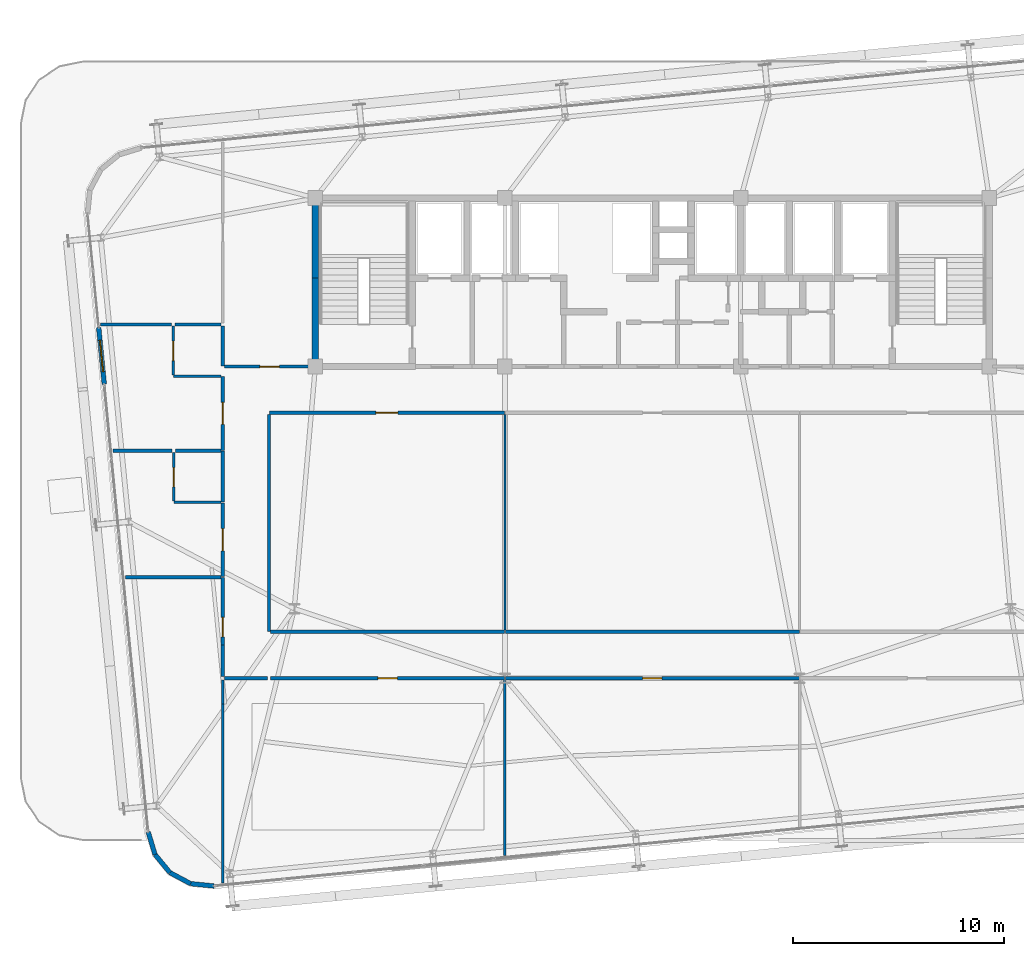
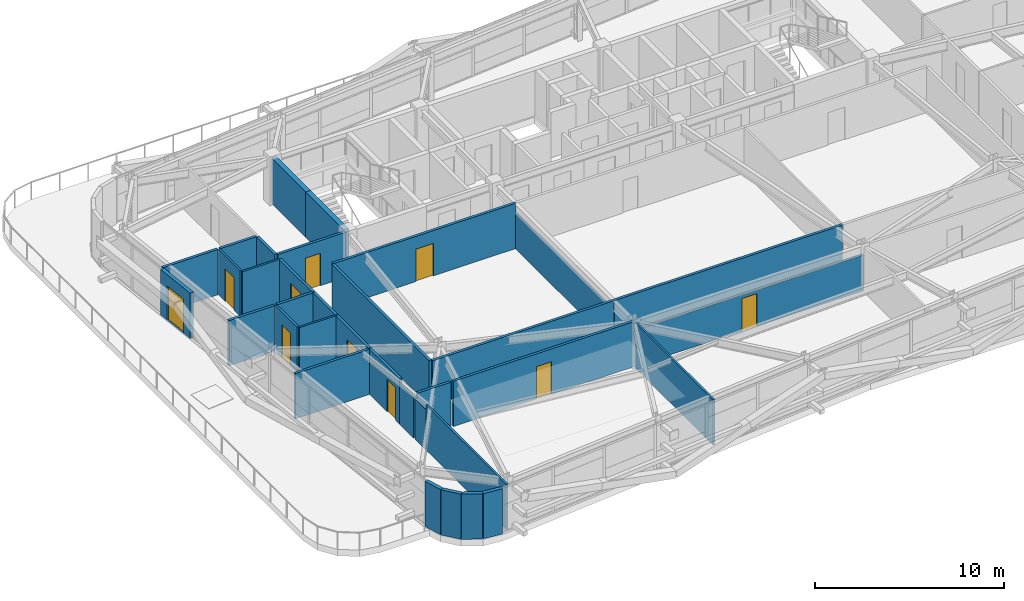
# One storey, part 44 of 51: 34 walls, 10 doors, 10 openings.
"""IFC4 building model written with IfcOpenShell, lengths in metres."""

from ifc_helpers import new_model, si_unit, direction, frame, frame_2d, origin, place, context, subcontext, project, spatial, rectangle, extrude, source, transform, mapped, material, layer, layer_set, type_object, element, fill, save


model = new_model("IFC4")

# Units and contexts
model_context = context("Model", 3, precision=1e-05, world=origin(), true_north=direction((0.0, 1.0)))
body_context = subcontext(model_context, "Body", "Model", "MODEL_VIEW")
ifc_project = project(units=[si_unit("LENGTHUNIT", "METRE"), si_unit("AREAUNIT", "SQUARE_METRE"), si_unit("VOLUMEUNIT", "CUBIC_METRE"), si_unit("PLANEANGLEUNIT", "RADIAN"), si_unit("MASSUNIT", "GRAM", prefix="KILO")], contexts=[model_context])

# Site, building, storey
site_placement = place(None, origin())
site = spatial("IfcSite", under=ifc_project, at=site_placement, CompositionType="ELEMENT")
building_placement = place(site_placement, origin())
building = spatial("IfcBuilding", under=site, at=building_placement, Name="Taldren Reach Tower", CompositionType="ELEMENT")
storey_placement = place(building_placement, frame((0.0, 0.0, 65.10009765625)))
storey = spatial("IfcBuildingStorey", under=building, at=storey_placement, Name="L19", CompositionType="ELEMENT", Elevation=65.10009765625)

# Walls
ifc_material_1 = material(Name="Pale Champagne Anodised Aluminium Cladding", Category="aluminium")
ifc_layer_1 = layer(ifc_material_1, 0.04, Name="Pale Champagne Anodised Aluminium Cladding", Category="aluminium")
ifc_material_2 = material(Name="Mineral Wool Acoustic Insulation", Category="insulation")
ifc_layer_2 = layer(ifc_material_2, 0.06, Name="Mineral Wool Acoustic Insulation", Category="insulation")
ifc_material_3 = material(Name="Steel Gr 350 (C350L0)", Category="steel")
ifc_layer_3 = layer(ifc_material_3, 0.12, Name="Steel Gr 350 (C350L0)", Category="steel")
ifc_layer_set_1 = layer_set([ifc_layer_1, ifc_layer_2, ifc_layer_3], Name="Pale Champagne Aluminium Cladding and Steel Gr 350 Stud Framing")
wall_type_1 = type_object("IfcWallType", Name="EW-CRN-220", PredefinedType="SOLIDWALL", material=ifc_layer_set_1)
shared_shape_1 = source(origin(), body_context, "Body", "SweptSolid", [
    extrude(rectangle(XDim=1.115966796875, YDim=0.219970703125, at=frame_2d((0.55810546875, 0.0))), origin(), (0.0, 0.0, 1.0), 2.929931640625),
])
for number, where, z_axis, x_axis, name in (
    (1, (11.062255859375, 1.90185546875, 0.0), (0.0, 0.0, 1.0), (0.289855603468, -0.957070388811, 0.0), "Rounded-corner pale-metal facade wall L19-SW1"),
    (2, (11.3857421875, 0.833740234375, 0.0), (0.0, 0.0, 1.0), (0.633988016432, -0.773342870285, 0.0), "Rounded-corner pale-metal facade wall L19-SW2"),
    (3, (13.0771484375, -0.5556640625, 0.0), (0.0, 0.0, 1.0), (0.995142755671, -0.09844234778, 0.0), "Rounded-corner pale-metal facade wall L19-SW4"),
):
    element("IfcWall", number, at=place(storey_placement, frame(where, z_axis=z_axis, x_axis=x_axis)), inside=storey, type_object=wall_type_1, Name=name, PredefinedType="SOLIDWALL", context=body_context, shape_type="MappedRepresentation", body=[
        mapped(shared_shape_1, transform((0.0, 0.0, 0.0), scale=1.0)),
    ])

# Wall, opening, door
shared_shape_2 = source(origin(), body_context, "Body", "SweptSolid", [
    extrude(rectangle(XDim=2.699951171875, YDim=0.219970703125, at=frame_2d((1.35009765625, 0.0))), origin(), (0.0, 0.0, 1.0), 2.929931640625),
])
wall_1_placement = place(storey_placement, frame((8.7138671875, 25.851806640625, 0.0), z_axis=(0.0, 0.0, 1.0), x_axis=(0.097659231838, -0.995219912601, 0.0)))
wall_1 = element("IfcWall", 4, at=wall_1_placement, inside=storey, type_object=wall_type_1, Name="Terrace threshold facade wall L19-W1", PredefinedType="SOLIDWALL", context=body_context, shape_type="MappedRepresentation", body=[
    mapped(shared_shape_2, transform((0.0, 0.0, 0.0), scale=1.0)),
])
shared_shape_3 = source(origin(), body_context, "Body", "SweptSolid", [
    extrude(rectangle(XDim=1.5, YDim=2.199951171875, at=frame_2d((0.75, 1.10009765625))), frame((0.0, 0.1201171875, 0.0), z_axis=(0.0, -1.0, 0.0), x_axis=(1.0, 0.0, 0.0)), (0.0, 0.0, 1.0), 0.239990234375),
])
opening_1_placement = place(wall_1_placement, frame((0.60009765625, 0.0, 0.0)))
opening_1 = element("IfcOpeningElement", 5, at=opening_1_placement, cuts=wall_1, Name="Opening ED-150", PredefinedType="OPENING", context=body_context, shape_type="MappedRepresentation", body=[
    mapped(shared_shape_3, transform((0.0, 0.0, 0.0), scale=1.0)),
])
ifc_material_4 = material(Name="Weatherproof Glazed Terrace Door")
door_type_1 = type_object("IfcDoorType", Name="ED-TERR-1500", OperationType="DOUBLE_DOOR_SINGLE_SWING", PredefinedType="DOOR", material=ifc_material_4)
shared_shape_4 = source(origin(), body_context, "Body", "SweptSolid", [
    extrude(rectangle(XDim=1.5, YDim=2.199951171875, at=frame_2d((0.75, 1.10009765625))), frame((0.0, 0.02490234375, 0.0), z_axis=(0.0, -1.0, 0.0), x_axis=(1.0, 0.0, 0.0)), (0.0, 0.0, 1.0), 0.050048828125),
])
door_1_placement = place(opening_1_placement, frame((1.5, 0.0, 0.0), z_axis=(0.0, 0.0, 1.0), x_axis=(-1.0, 0.0, 0.0)))
door_1 = element("IfcDoor", 6, at=door_1_placement, inside=storey, type_object=door_type_1, Name="Setback terrace access door ED-TERR-L19-W1", OperationType="DOUBLE_DOOR_SINGLE_SWING", OverallHeight=2.199951171875, OverallWidth=1.5, PredefinedType="DOOR", context=body_context, shape_type="MappedRepresentation", body=[
    mapped(shared_shape_4, transform((0.0, 0.0, 0.0), scale=1.0)),
])
fill(opening_1, door_1)

# Wall
shared_shape_5 = source(origin(), body_context, "Body", "SweptSolid", [
    extrude(rectangle(XDim=1.11572265625, YDim=0.219970703125, at=frame_2d((0.557861328125, 0.0))), origin(), (0.0, 0.0, 1.0), 2.929931640625),
])
wall_2_placement = place(storey_placement, frame((12.09326171875, -0.029296875, 0.0), z_axis=(0.0, 0.0, 1.0), x_axis=(0.881746547635, -0.471723463201, 0.0)))
element("IfcWall", 7, at=wall_2_placement, inside=storey, type_object=wall_type_1, Name="Rounded-corner pale-metal facade wall L19-SW3", PredefinedType="SOLIDWALL", context=body_context, shape_type="MappedRepresentation", body=[
    mapped(shared_shape_5, transform((0.0, 0.0, 0.0), scale=1.0)),
])

# Wall, opening, door
ifc_material_5 = material(Name="Fire-Rated Acoustic Plasterboard Stud Wall", Category="gypsum")
ifc_layer_4 = layer(ifc_material_5, 0.159912109375)
ifc_layer_set_2 = layer_set([ifc_layer_4], Name="Fire-Rated Acoustic Plasterboard Stud Wall")
wall_type_2 = type_object("IfcWallType", Name="IW-FIRE-160", PredefinedType="PARTITIONING", material=ifc_layer_set_2)
shared_shape_6 = source(origin(), body_context, "Body", "SweptSolid", [
    extrude(rectangle(XDim=11.159423828125, YDim=0.159912109375, at=frame_2d((5.57958984375, 0.0))), origin(), (0.0, 0.0, 1.0), 2.929931640625),
])
wall_3_placement = place(storey_placement, frame((27.979736328125, 21.800048828125, 0.0), z_axis=(0.0, 0.0, 1.0), x_axis=(-1.0, 0.0, 0.0)))
wall_3 = element("IfcWall", 8, at=wall_3_placement, inside=storey, type_object=wall_type_2, Name="Interior Partition Wall W-INT-L19-060", PredefinedType="PARTITIONING", context=body_context, shape_type="MappedRepresentation", body=[
    mapped(shared_shape_6, transform((0.0, 0.0, 0.0), scale=1.0)),
])
shared_shape_7 = source(origin(), body_context, "Body", "SweptSolid", [
    extrude(rectangle(XDim=1.050048828125, YDim=2.10009765625, at=frame_2d((0.52490234375, 1.050048828125))), frame((0.0, 0.08984375, 0.0), z_axis=(0.0, -1.0, 0.0), x_axis=(1.0, 0.0, 0.0)), (0.0, 0.0, 1.0), 0.179931640625),
])
opening_2_placement = place(wall_3_placement, frame((5.0546875, 0.0, 0.0)))
opening_2 = element("IfcOpeningElement", 9, at=opening_2_placement, cuts=wall_3, Name="Opening DF-105", PredefinedType="OPENING", context=body_context, shape_type="MappedRepresentation", body=[
    mapped(shared_shape_7, transform((0.0, 0.0, 0.0), scale=1.0)),
])
ifc_material_6 = material(Name="Fire-Rated Care and Stair Exit Door")
door_type_2 = type_object("IfcDoorType", Name="ID-FIRE-105", OperationType="NOTDEFINED", PredefinedType="DOOR", material=ifc_material_6)
shared_shape_8 = source(origin(), body_context, "Body", "SweptSolid", [
    extrude(rectangle(XDim=1.050048828125, YDim=2.10009765625, at=frame_2d((0.52490234375, 1.050048828125))), frame((0.0, 0.02490234375, 0.0), z_axis=(0.0, -1.0, 0.0), x_axis=(1.0, 0.0, 0.0)), (0.0, 0.0, 1.0), 0.050048828125),
])
door_2_placement = place(opening_2_placement, origin())
door_2 = element("IfcDoor", 10, at=door_2_placement, inside=storey, type_object=door_type_2, Name="Interior Door DR-L19-014", OperationType="SINGLE_SWING_LEFT", OverallHeight=2.10009765625, OverallWidth=1.050048828125, PredefinedType="DOOR", context=body_context, shape_type="MappedRepresentation", body=[
    mapped(shared_shape_8, transform((0.0, 0.0, 0.0), scale=1.0)),
])
fill(opening_2, door_2)

# Walls
shared_shape_9 = source(origin(), body_context, "Body", "SweptSolid", [
    extrude(rectangle(XDim=10.2998046875, YDim=0.159912109375, at=frame_2d((5.14990234375, 0.0))), origin(), (0.0, 0.0, 1.0), 2.929931640625),
])
wall_4_placement = place(storey_placement, frame((16.800048828125, 21.719970703125, 0.0), z_axis=(0.0, 0.0, 1.0), x_axis=(0.0, -1.0, 0.0)))
element("IfcWall", 11, at=wall_4_placement, inside=storey, type_object=wall_type_2, Name="Interior Partition Wall W-INT-L19-061", PredefinedType="PARTITIONING", context=body_context, shape_type="MappedRepresentation", body=[
    mapped(shared_shape_9, transform((0.0, 0.0, 0.0), scale=1.0)),
])
shared_shape_10 = source(origin(), body_context, "Body", "SweptSolid", [
    extrude(rectangle(XDim=13.95947265625, YDim=0.159912109375, at=frame_2d((6.979736328125, 0.0))), origin(), (0.0, 0.0, 1.0), 2.929931640625),
])
wall_5_placement = place(storey_placement, frame((28.020263671875, 11.39990234375, 0.0), z_axis=(0.0, 0.0, 1.0), x_axis=(1.0, 0.0, 0.0)))
element("IfcWall", 12, at=wall_5_placement, inside=storey, type_object=wall_type_2, Name="Interior Partition Wall W-INT-L19-077", PredefinedType="PARTITIONING", context=body_context, shape_type="MappedRepresentation", body=[
    mapped(shared_shape_10, transform((0.0, 0.0, 0.0), scale=1.0)),
])
shared_shape_11 = source(origin(), body_context, "Body", "SweptSolid", [
    extrude(rectangle(XDim=2.0400390625, YDim=0.159912109375, at=frame_2d((1.02001953125, 0.0))), origin(), (0.0, 0.0, 1.0), 2.929931640625),
])
wall_6_placement = place(storey_placement, frame((16.719970703125, 9.199951171875, 0.0), z_axis=(0.0, 0.0, 1.0), x_axis=(-1.0, 0.0, 0.0)))
element("IfcWall", 13, at=wall_6_placement, inside=storey, type_object=wall_type_2, Name="Interior Partition Wall W-INT-L19-065", PredefinedType="PARTITIONING", context=body_context, shape_type="MappedRepresentation", body=[
    mapped(shared_shape_11, transform((0.0, 0.0, 0.0), scale=1.0)),
])
shared_shape_12 = source(origin(), body_context, "Body", "SweptSolid", [
    extrude(rectangle(XDim=11.099853515625, YDim=0.159912109375, at=frame_2d((5.5498046875, 0.0))), origin(), (0.0, 0.0, 1.0), 2.929931640625),
])
wall_7_placement = place(storey_placement, frame((16.8798828125, 11.39990234375, 0.0), z_axis=(0.0, 0.0, 1.0), x_axis=(1.0, 0.0, 0.0)))
element("IfcWall", 14, at=wall_7_placement, inside=storey, type_object=wall_type_2, Name="Interior Partition Wall W-INT-L19-076", PredefinedType="PARTITIONING", context=body_context, shape_type="MappedRepresentation", body=[
    mapped(shared_shape_12, transform((0.0, 0.0, 0.0), scale=1.0)),
])

# Wall, opening, door
wall_8_placement = place(storey_placement, frame((27.979736328125, 9.199951171875, 0.0), z_axis=(0.0, 0.0, 1.0), x_axis=(-1.0, 0.0, 0.0)))
wall_8 = element("IfcWall", 15, at=wall_8_placement, inside=storey, type_object=wall_type_2, Name="Interior Partition Wall W-INT-L19-079", PredefinedType="PARTITIONING", context=body_context, shape_type="MappedRepresentation", body=[
    mapped(shared_shape_12, transform((0.0, 0.0, 0.0), scale=1.0)),
])
shared_shape_13 = source(origin(), body_context, "Body", "SweptSolid", [
    extrude(rectangle(XDim=0.919921875, YDim=2.10009765625, at=frame_2d((0.4599609375, 1.050048828125))), frame((0.0, 0.08984375, 0.0), z_axis=(0.0, -1.0, 0.0), x_axis=(1.0, 0.0, 0.0)), (0.0, 0.0, 1.0), 0.179931640625),
])
opening_3_placement = place(wall_8_placement, frame((5.08984375, 0.0, 0.0)))
opening_3 = element("IfcOpeningElement", 16, at=opening_3_placement, cuts=wall_8, Name="Opening DI-092", PredefinedType="OPENING", context=body_context, shape_type="MappedRepresentation", body=[
    mapped(shared_shape_13, transform((0.0, 0.0, 0.0), scale=1.0)),
])
ifc_material_7 = material(Name="Solid-Core Timber Suite Door", Category="wood")
door_type_3 = type_object("IfcDoorType", Name="ID-INT-092", OperationType="NOTDEFINED", PredefinedType="DOOR", material=ifc_material_7)
shared_shape_14 = source(origin(), body_context, "Body", "SweptSolid", [
    extrude(rectangle(XDim=0.919921875, YDim=2.10009765625, at=frame_2d((0.4599609375, 1.050048828125))), frame((0.0, 0.02490234375, 0.0), z_axis=(0.0, -1.0, 0.0), x_axis=(1.0, 0.0, 0.0)), (0.0, 0.0, 1.0), 0.050048828125),
])
door_3_placement = place(opening_3_placement, origin())
door_3 = element("IfcDoor", 17, at=door_3_placement, inside=storey, type_object=door_type_3, Name="Interior Door DR-L19-024", OperationType="SINGLE_SWING_LEFT", OverallHeight=2.10009765625, OverallWidth=0.919921875, PredefinedType="DOOR", context=body_context, shape_type="MappedRepresentation", body=[
    mapped(shared_shape_14, transform((0.0, 0.0, 0.0), scale=1.0)),
])
fill(opening_3, door_3)

# Wall
ifc_material_8 = material(Name="Acoustic Operable Folding Partition", Category="metal")
ifc_layer_5 = layer(ifc_material_8, 0.10009765625)
ifc_layer_set_3 = layer_set([ifc_layer_5], Name="Acoustic Operable Folding Partition")
wall_type_3 = type_object("IfcWallType", Name="IW-MOV-100", PredefinedType="MOVABLE", material=ifc_layer_set_3)
shared_shape_15 = source(origin(), body_context, "Body", "SweptSolid", [
    extrude(rectangle(XDim=10.239990234375, YDim=0.10009765625, at=frame_2d((5.1201171875, 0.0))), origin(), (0.0, 0.0, 1.0), 2.327880859375),
])
wall_9_placement = place(storey_placement, frame((28.0, 21.719970703125, 0.0), z_axis=(0.0, 0.0, 1.0), x_axis=(0.0, -1.0, 0.0)))
element("IfcWall", 18, at=wall_9_placement, inside=storey, type_object=wall_type_3, Name="Interior Partition Wall W-INT-L19-082", PredefinedType="MOVABLE", context=body_context, shape_type="MappedRepresentation", body=[
    mapped(shared_shape_15, transform((0.0, 0.0, 0.0), scale=1.0)),
])

# Wall, opening, door
shared_shape_16 = source(origin(), body_context, "Body", "SweptSolid", [
    extrude(rectangle(XDim=13.95947265625, YDim=0.159912109375, at=frame_2d((6.979736328125, 0.0))), origin(), (0.0, 0.0, 1.0), 2.327880859375),
])
wall_10_placement = place(storey_placement, frame((41.979736328125, 9.199951171875, 0.0), z_axis=(0.0, 0.0, 1.0), x_axis=(-1.0, 0.0, 0.0)))
wall_10 = element("IfcWall", 19, at=wall_10_placement, inside=storey, type_object=wall_type_2, Name="Interior Partition Wall W-INT-L19-080", PredefinedType="PARTITIONING", context=body_context, shape_type="MappedRepresentation", body=[
    mapped(shared_shape_16, transform((0.0, 0.0, 0.0), scale=1.0)),
])
opening_4_placement = place(wall_10_placement, frame((6.519775390625, 0.0, 0.0)))
opening_4 = element("IfcOpeningElement", 20, at=opening_4_placement, cuts=wall_10, Name="Opening DI-092", PredefinedType="OPENING", context=body_context, shape_type="MappedRepresentation", body=[
    mapped(shared_shape_13, transform((0.0, 0.0, 0.0), scale=1.0)),
])
door_4_placement = place(opening_4_placement, origin())
door_4 = element("IfcDoor", 21, at=door_4_placement, inside=storey, type_object=door_type_3, Name="Interior Door DR-L19-025", OperationType="SINGLE_SWING_RIGHT", OverallHeight=2.10009765625, OverallWidth=0.919921875, PredefinedType="DOOR", context=body_context, shape_type="MappedRepresentation", body=[
    mapped(shared_shape_14, transform((0.0, 0.0, 0.0), scale=1.0)),
])
fill(opening_4, door_4)

# Walls
ifc_material_9 = material(Name="Concrete S65 (65 MPa)", Category="concrete")
ifc_layer_6 = layer(ifc_material_9, 0.300048828125)
ifc_layer_set_4 = layer_set([ifc_layer_6], Name="Concrete S65 (65 MPa)")
wall_type_4 = type_object("IfcWallType", Name="IW-CORE-300", PredefinedType="SHEAR", material=ifc_layer_set_4)
shared_shape_17 = source(origin(), body_context, "Body", "SweptSolid", [
    extrude(rectangle(XDim=4.050048828125, YDim=0.300048828125, at=frame_2d((2.02490234375, 0.0))), origin(), (0.0, 0.0, 1.0), 2.929931640625),
])
wall_11_placement = place(storey_placement, frame((19.0, 24.14990234375, 0.0), z_axis=(0.0, 0.0, 1.0), x_axis=(0.0, 1.0, 0.0)))
element("IfcWall", 22, at=wall_11_placement, inside=storey, type_object=wall_type_4, Name="Rear Core Shear Wall W-CORE-L19-WEST1", PredefinedType="SHEAR", context=body_context, shape_type="MappedRepresentation", body=[
    mapped(shared_shape_17, transform((0.0, 0.0, 0.0), scale=1.0)),
])
shared_shape_18 = source(origin(), body_context, "Body", "SweptSolid", [
    extrude(rectangle(XDim=3.650146484375, YDim=0.300048828125, at=frame_2d((1.8251953125, 0.0))), origin(), (0.0, 0.0, 1.0), 2.929931640625),
])
wall_12_placement = place(storey_placement, frame((19.0, 28.199951171875, 0.0), z_axis=(0.0, 0.0, 1.0), x_axis=(0.0, 1.0, 0.0)))
element("IfcWall", 23, at=wall_12_placement, inside=storey, type_object=wall_type_4, Name="Rear Core Shear Wall W-CORE-L19-WEST2", PredefinedType="SHEAR", context=body_context, shape_type="MappedRepresentation", body=[
    mapped(shared_shape_18, transform((0.0, 0.0, 0.0), scale=1.0)),
])
shared_shape_19 = source(origin(), body_context, "Body", "SweptSolid", [
    extrude(rectangle(XDim=1.498291015625, YDim=0.159912109375, at=frame_2d((0.7490234375, 0.0))), origin(), (0.0, 0.0, 1.0), 2.622802734375),
])
wall_13_placement = place(storey_placement, frame((14.60009765625, 9.280029296875, 0.0), z_axis=(0.0, 0.0, 1.0), x_axis=(0.0, 1.0, 0.0)))
element("IfcWall", 24, at=wall_13_placement, inside=storey, type_object=wall_type_2, Name="Interior Partition Wall W-INT-L19-067", PredefinedType="PARTITIONING", context=body_context, shape_type="MappedRepresentation", body=[
    mapped(shared_shape_19, transform((0.0, 0.0, 0.0), scale=1.0)),
])

# Wall, opening, door
shared_shape_20 = source(origin(), body_context, "Body", "SweptSolid", [
    extrude(rectangle(XDim=3.201416015625, YDim=0.159912109375, at=frame_2d((1.6005859375, 0.0))), origin(), (0.0, 0.0, 1.0), 2.929931640625),
])
wall_14_placement = place(storey_placement, frame((14.60009765625, 10.7783203125, 0.0), z_axis=(0.0, 0.0, 1.0), x_axis=(0.0, 1.0, 0.0)))
wall_14 = element("IfcWall", 25, at=wall_14_placement, inside=storey, type_object=wall_type_2, Name="Interior Partition Wall W-INT-L19-067 part 2", PredefinedType="PARTITIONING", context=body_context, shape_type="MappedRepresentation", body=[
    mapped(shared_shape_20, transform((0.0, 0.0, 0.0), scale=1.0)),
])
opening_5_placement = place(wall_14_placement, frame((0.3916015625, 0.0, 0.0)))
opening_5 = element("IfcOpeningElement", 26, at=opening_5_placement, cuts=wall_14, Name="Opening DI-092", PredefinedType="OPENING", context=body_context, shape_type="MappedRepresentation", body=[
    mapped(shared_shape_13, transform((0.0, 0.0, 0.0), scale=1.0)),
])
door_5_placement = place(opening_5_placement, origin())
door_5 = element("IfcDoor", 27, at=door_5_placement, inside=storey, type_object=door_type_3, Name="Interior Door DR-L19-017", OperationType="SINGLE_SWING_RIGHT", OverallHeight=2.10009765625, OverallWidth=0.919921875, PredefinedType="DOOR", context=body_context, shape_type="MappedRepresentation", body=[
    mapped(shared_shape_14, transform((0.0, 0.0, 0.0), scale=1.0)),
])
fill(opening_5, door_5)

shared_shape_21 = source(origin(), body_context, "Body", "SweptSolid", [
    extrude(rectangle(XDim=3.509521484375, YDim=0.159912109375, at=frame_2d((1.7548828125, 0.0))), origin(), (0.0, 0.0, 1.0), 2.929931640625),
])
wall_15_placement = place(storey_placement, frame((14.60009765625, 14.020263671875, 0.0), z_axis=(0.0, 0.0, 1.0), x_axis=(0.0, 1.0, 0.0)))
wall_15 = element("IfcWall", 28, at=wall_15_placement, inside=storey, type_object=wall_type_2, Name="Interior Partition Wall W-INT-L19-068", PredefinedType="PARTITIONING", context=body_context, shape_type="MappedRepresentation", body=[
    mapped(shared_shape_21, transform((0.0, 0.0, 0.0), scale=1.0)),
])
opening_6_placement = place(wall_15_placement, frame((1.229736328125, 0.0, 0.0)))
opening_6 = element("IfcOpeningElement", 29, at=opening_6_placement, cuts=wall_15, Name="Opening DF-105", PredefinedType="OPENING", context=body_context, shape_type="MappedRepresentation", body=[
    mapped(shared_shape_7, transform((0.0, 0.0, 0.0), scale=1.0)),
])
door_6_placement = place(opening_6_placement, origin())
door_6 = element("IfcDoor", 30, at=door_6_placement, inside=storey, type_object=door_type_2, Name="Interior Door DR-L19-018", OperationType="SINGLE_SWING_LEFT", OverallHeight=2.10009765625, OverallWidth=1.050048828125, PredefinedType="DOOR", context=body_context, shape_type="MappedRepresentation", body=[
    mapped(shared_shape_8, transform((0.0, 0.0, 0.0), scale=1.0)),
])
fill(opening_6, door_6)

wall_16_placement = place(storey_placement, frame((14.60009765625, 20.020263671875, 0.0), z_axis=(0.0, 0.0, 1.0), x_axis=(0.0, 1.0, 0.0)))
wall_16 = element("IfcWall", 31, at=wall_16_placement, inside=storey, type_object=wall_type_2, Name="Interior Partition Wall W-INT-L19-070", PredefinedType="PARTITIONING", context=body_context, shape_type="MappedRepresentation", body=[
    mapped(shared_shape_21, transform((0.0, 0.0, 0.0), scale=1.0)),
])
opening_7_placement = place(wall_16_placement, frame((1.229736328125, 0.0, 0.0)))
opening_7 = element("IfcOpeningElement", 32, at=opening_7_placement, cuts=wall_16, Name="Opening DF-105", PredefinedType="OPENING", context=body_context, shape_type="MappedRepresentation", body=[
    mapped(shared_shape_7, transform((0.0, 0.0, 0.0), scale=1.0)),
])
door_7_placement = place(opening_7_placement, origin())
door_7 = element("IfcDoor", 33, at=door_7_placement, inside=storey, type_object=door_type_2, Name="Interior Door DR-L19-019", OperationType="SINGLE_SWING_RIGHT", OverallHeight=2.10009765625, OverallWidth=1.050048828125, PredefinedType="DOOR", context=body_context, shape_type="MappedRepresentation", body=[
    mapped(shared_shape_8, transform((0.0, 0.0, 0.0), scale=1.0)),
])
fill(opening_7, door_7)

# Wall
shared_shape_22 = source(origin(), body_context, "Body", "SweptSolid", [
    extrude(rectangle(XDim=2.409423828125, YDim=0.159912109375, at=frame_2d((1.20458984375, 0.0))), origin(), (0.0, 0.0, 1.0), 2.929931640625),
])
wall_17_placement = place(storey_placement, frame((14.60009765625, 17.5703125, 0.0), z_axis=(0.0, 0.0, 1.0), x_axis=(0.0, 1.0, 0.0)))
element("IfcWall", 34, at=wall_17_placement, inside=storey, type_object=wall_type_2, Name="Interior Partition Wall W-INT-L19-069", PredefinedType="PARTITIONING", context=body_context, shape_type="MappedRepresentation", body=[
    mapped(shared_shape_22, transform((0.0, 0.0, 0.0), scale=1.0)),
])

# Wall, opening, door
shared_shape_23 = source(origin(), body_context, "Body", "SweptSolid", [
    extrude(rectangle(XDim=4.170166015625, YDim=0.159912109375, at=frame_2d((2.0849609375, 0.0))), origin(), (0.0, 0.0, 1.0), 2.929931640625),
])
wall_18_placement = place(storey_placement, frame((14.679931640625, 24.0, 0.0), z_axis=(0.0, 0.0, 1.0), x_axis=(1.0, 0.0, 0.0)))
wall_18 = element("IfcWall", 35, at=wall_18_placement, inside=storey, type_object=wall_type_2, Name="Interior Partition Wall W-INT-L19-074", PredefinedType="PARTITIONING", context=body_context, shape_type="MappedRepresentation", body=[
    mapped(shared_shape_23, transform((0.0, 0.0, 0.0), scale=1.0)),
])
opening_8_placement = place(wall_18_placement, frame((1.68994140625, 0.0, 0.0)))
opening_8 = element("IfcOpeningElement", 36, at=opening_8_placement, cuts=wall_18, Name="Opening DI-092", PredefinedType="OPENING", context=body_context, shape_type="MappedRepresentation", body=[
    mapped(shared_shape_13, transform((0.0, 0.0, 0.0), scale=1.0)),
])
door_8_placement = place(opening_8_placement, origin())
door_8 = element("IfcDoor", 37, at=door_8_placement, inside=storey, type_object=door_type_3, Name="Interior Door DR-L19-023", OperationType="SINGLE_SWING_RIGHT", OverallHeight=2.10009765625, OverallWidth=0.919921875, PredefinedType="DOOR", context=body_context, shape_type="MappedRepresentation", body=[
    mapped(shared_shape_14, transform((0.0, 0.0, 0.0), scale=1.0)),
])
fill(opening_8, door_8)

# Walls
ifc_material_10 = material(Name="Insulated Residential Stud Partition", Category="gypsum")
ifc_layer_7 = layer(ifc_material_10, 0.1201171875)
ifc_layer_set_5 = layer_set([ifc_layer_7], Name="Insulated Residential Stud Partition")
wall_type_5 = type_object("IfcWallType", Name="IW-PART-120", PredefinedType="PARTITIONING", material=ifc_layer_set_5)
shared_shape_24 = source(origin(), body_context, "Body", "SweptSolid", [
    extrude(rectangle(XDim=8.3486328125, YDim=0.1201171875, at=frame_2d((4.17431640625, 0.0))), origin(), (0.0, 0.0, 1.0), 2.929931640625),
])
wall_19_placement = place(storey_placement, frame((28.0, 9.1201171875, 0.0), z_axis=(0.0, 0.0, 1.0), x_axis=(0.0, -1.0, 0.0)))
element("IfcWall", 38, at=wall_19_placement, inside=storey, type_object=wall_type_5, Name="Interior Partition Wall W-INT-L19-084", PredefinedType="PARTITIONING", context=body_context, shape_type="MappedRepresentation", body=[
    mapped(shared_shape_24, transform((0.0, 0.0, 0.0), scale=1.0)),
])
shared_shape_25 = source(origin(), body_context, "Body", "SweptSolid", [
    extrude(rectangle(XDim=8.50146484375, YDim=0.1201171875, at=frame_2d((4.250732421875, 0.0))), origin(), (0.0, 0.0, 1.0), 2.929931640625),
])
wall_20_placement = place(storey_placement, frame((14.60009765625, -0.52685546875, 0.0), z_axis=(0.0, 0.0, 1.0), x_axis=(0.0, 1.0, 0.0)))
element("IfcWall", 39, at=wall_20_placement, inside=storey, type_object=wall_type_5, Name="Interior Partition Wall W-INT-L19-085", PredefinedType="PARTITIONING", context=body_context, shape_type="MappedRepresentation", body=[
    mapped(shared_shape_25, transform((0.0, 0.0, 0.0), scale=1.0)),
])
shared_shape_26 = source(origin(), body_context, "Body", "SweptSolid", [
    extrude(rectangle(XDim=1.1455078125, YDim=0.1201171875, at=frame_2d((0.57275390625, 0.0))), origin(), (0.0, 0.0, 1.0), 2.622802734375),
])
wall_21_placement = place(storey_placement, frame((14.60009765625, 7.974609375, 0.0), z_axis=(0.0, 0.0, 1.0), x_axis=(0.0, 1.0, 0.0)))
element("IfcWall", 40, at=wall_21_placement, inside=storey, type_object=wall_type_5, Name="Interior Partition Wall W-INT-L19-085 part 2", PredefinedType="PARTITIONING", context=body_context, shape_type="MappedRepresentation", body=[
    mapped(shared_shape_26, transform((0.0, 0.0, 0.0), scale=1.0)),
])
shared_shape_27 = source(origin(), body_context, "Body", "SweptSolid", [
    extrude(rectangle(XDim=4.545654296875, YDim=0.159912109375, at=frame_2d((2.27294921875, 0.0))), origin(), (0.0, 0.0, 1.0), 2.929931640625),
])
wall_22_placement = place(storey_placement, frame((9.974365234375, 14.0, 0.0), z_axis=(0.0, 0.0, 1.0), x_axis=(1.0, 0.0, 0.0)))
element("IfcWall", 41, at=wall_22_placement, inside=storey, type_object=wall_type_2, Name="Interior Partition Wall W-INT-L19-088", PredefinedType="PARTITIONING", context=body_context, shape_type="MappedRepresentation", body=[
    mapped(shared_shape_27, transform((0.0, 0.0, 0.0), scale=1.0)),
])

# Wall, opening, door
shared_shape_28 = source(origin(), body_context, "Body", "SweptSolid", [
    extrude(rectangle(XDim=2.309814453125, YDim=0.1201171875, at=frame_2d((1.15478515625, 0.0))), origin(), (0.0, 0.0, 1.0), 2.929931640625),
])
wall_23_placement = place(storey_placement, frame((12.270751953125, 19.919921875, 0.0), z_axis=(0.0, 0.0, 1.0), x_axis=(0.0, -1.0, 0.0)))
wall_23 = element("IfcWall", 42, at=wall_23_placement, inside=storey, type_object=wall_type_5, Name="Interior Partition Wall W-INT-L19-089", PredefinedType="PARTITIONING", context=body_context, shape_type="MappedRepresentation", body=[
    mapped(shared_shape_28, transform((0.0, 0.0, 0.0), scale=1.0)),
])
shared_shape_29 = source(origin(), body_context, "Body", "SweptSolid", [
    extrude(rectangle(XDim=0.919921875, YDim=2.10009765625, at=frame_2d((0.4599609375, 1.050048828125))), frame((0.0, 0.070068359375, 0.0), z_axis=(0.0, -1.0, 0.0), x_axis=(1.0, 0.0, 0.0)), (0.0, 0.0, 1.0), 0.14013671875),
])
opening_9_placement = place(wall_23_placement, frame((0.71484375, 0.0, 0.0)))
opening_9 = element("IfcOpeningElement", 43, at=opening_9_placement, cuts=wall_23, Name="Opening DI-092", PredefinedType="OPENING", context=body_context, shape_type="MappedRepresentation", body=[
    mapped(shared_shape_29, transform((0.0, 0.0, 0.0), scale=1.0)),
])
door_9_placement = place(opening_9_placement, origin())
door_9 = element("IfcDoor", 44, at=door_9_placement, inside=storey, type_object=door_type_3, Name="Interior Door DR-L19-027", OperationType="SINGLE_SWING_RIGHT", OverallHeight=2.10009765625, OverallWidth=0.919921875, PredefinedType="DOOR", context=body_context, shape_type="MappedRepresentation", body=[
    mapped(shared_shape_14, transform((0.0, 0.0, 0.0), scale=1.0)),
])
fill(opening_9, door_9)

wall_24_placement = place(storey_placement, frame((12.25, 25.919921875, 0.0), z_axis=(0.0, 0.0, 1.0), x_axis=(0.0, -1.0, 0.0)))
wall_24 = element("IfcWall", 45, at=wall_24_placement, inside=storey, type_object=wall_type_5, Name="Interior Partition Wall W-INT-L19-093", PredefinedType="PARTITIONING", context=body_context, shape_type="MappedRepresentation", body=[
    mapped(shared_shape_28, transform((0.0, 0.0, 0.0), scale=1.0)),
])
opening_10_placement = place(wall_24_placement, frame((0.71484375, 0.0, 0.0)))
opening_10 = element("IfcOpeningElement", 46, at=opening_10_placement, cuts=wall_24, Name="Opening DI-092", PredefinedType="OPENING", context=body_context, shape_type="MappedRepresentation", body=[
    mapped(shared_shape_29, transform((0.0, 0.0, 0.0), scale=1.0)),
])
door_10_placement = place(opening_10_placement, origin())
door_10 = element("IfcDoor", 47, at=door_10_placement, inside=storey, type_object=door_type_3, Name="Interior Door DR-L19-028", OperationType="SINGLE_SWING_LEFT", OverallHeight=2.10009765625, OverallWidth=0.919921875, PredefinedType="DOOR", context=body_context, shape_type="MappedRepresentation", body=[
    mapped(shared_shape_14, transform((0.0, 0.0, 0.0), scale=1.0)),
])
fill(opening_10, door_10)

# Walls
shared_shape_30 = source(origin(), body_context, "Body", "SweptSolid", [
    extrude(rectangle(XDim=2.229248046875, YDim=0.1201171875, at=frame_2d((1.11474609375, 0.0))), origin(), (0.0, 0.0, 1.0), 2.929931640625),
])
wall_25_placement = place(storey_placement, frame((12.290771484375, 17.550048828125, 0.0), z_axis=(0.0, 0.0, 1.0), x_axis=(1.0, 0.0, 0.0)))
element("IfcWall", 48, at=wall_25_placement, inside=storey, type_object=wall_type_5, Name="Interior Partition Wall W-INT-L19-090", PredefinedType="PARTITIONING", context=body_context, shape_type="MappedRepresentation", body=[
    mapped(shared_shape_30, transform((0.0, 0.0, 0.0), scale=1.0)),
])
shared_shape_31 = source(origin(), body_context, "Body", "SweptSolid", [
    extrude(rectangle(XDim=2.802734375, YDim=0.159912109375, at=frame_2d((1.4013671875, 0.0))), origin(), (0.0, 0.0, 1.0), 2.929931640625),
])
wall_26_placement = place(storey_placement, frame((9.387939453125, 20.0, 0.0), z_axis=(0.0, 0.0, 1.0), x_axis=(1.0, 0.0, 0.0)))
element("IfcWall", 49, at=wall_26_placement, inside=storey, type_object=wall_type_2, Name="Interior Partition Wall W-INT-L19-091", PredefinedType="PARTITIONING", context=body_context, shape_type="MappedRepresentation", body=[
    mapped(shared_shape_31, transform((0.0, 0.0, 0.0), scale=1.0)),
])
shared_shape_32 = source(origin(), body_context, "Body", "SweptSolid", [
    extrude(rectangle(XDim=2.16748046875, YDim=0.159912109375, at=frame_2d((1.083740234375, 0.0))), origin(), (0.0, 0.0, 1.0), 2.929931640625),
])
wall_27_placement = place(storey_placement, frame((12.3505859375, 20.0, 0.0), z_axis=(0.0, 0.0, 1.0), x_axis=(1.0, 0.0, 0.0)))
element("IfcWall", 50, at=wall_27_placement, inside=storey, type_object=wall_type_2, Name="Interior Partition Wall W-INT-L19-092", PredefinedType="PARTITIONING", context=body_context, shape_type="MappedRepresentation", body=[
    mapped(shared_shape_32, transform((0.0, 0.0, 0.0), scale=1.0)),
])
shared_shape_33 = source(origin(), body_context, "Body", "SweptSolid", [
    extrude(rectangle(XDim=2.249755859375, YDim=0.1201171875, at=frame_2d((1.125, 0.0))), origin(), (0.0, 0.0, 1.0), 2.929931640625),
])
wall_28_placement = place(storey_placement, frame((12.270263671875, 23.550048828125, 0.0), z_axis=(0.0, 0.0, 1.0), x_axis=(1.0, 0.0, 0.0)))
element("IfcWall", 51, at=wall_28_placement, inside=storey, type_object=wall_type_5, Name="Interior Partition Wall W-INT-L19-094", PredefinedType="PARTITIONING", context=body_context, shape_type="MappedRepresentation", body=[
    mapped(shared_shape_33, transform((0.0, 0.0, 0.0), scale=1.0)),
])
shared_shape_34 = source(origin(), body_context, "Body", "SweptSolid", [
    extrude(rectangle(XDim=3.3701171875, YDim=0.159912109375, at=frame_2d((1.68505859375, 0.0))), origin(), (0.0, 0.0, 1.0), 2.929931640625),
])
wall_29_placement = place(storey_placement, frame((8.7998046875, 26.0, 0.0), z_axis=(0.0, 0.0, 1.0), x_axis=(1.0, 0.0, 0.0)))
element("IfcWall", 52, at=wall_29_placement, inside=storey, type_object=wall_type_2, Name="Interior Partition Wall W-INT-L19-095", PredefinedType="PARTITIONING", context=body_context, shape_type="MappedRepresentation", body=[
    mapped(shared_shape_34, transform((0.0, 0.0, 0.0), scale=1.0)),
])
shared_shape_35 = source(origin(), body_context, "Body", "SweptSolid", [
    extrude(rectangle(XDim=2.18798828125, YDim=0.159912109375, at=frame_2d((1.093994140625, 0.0))), origin(), (0.0, 0.0, 1.0), 2.929931640625),
])
wall_30_placement = place(storey_placement, frame((12.330078125, 26.0, 0.0), z_axis=(0.0, 0.0, 1.0), x_axis=(1.0, 0.0, 0.0)))
element("IfcWall", 53, at=wall_30_placement, inside=storey, type_object=wall_type_2, Name="Interior Partition Wall W-INT-L19-096", PredefinedType="PARTITIONING", context=body_context, shape_type="MappedRepresentation", body=[
    mapped(shared_shape_35, transform((0.0, 0.0, 0.0), scale=1.0)),
])
shared_shape_36 = source(origin(), body_context, "Body", "SweptSolid", [
    extrude(rectangle(XDim=1.897705078125, YDim=0.159912109375, at=frame_2d((0.94873046875, 0.0))), origin(), (0.0, 0.0, 1.0), 2.929931640625),
])
wall_31_placement = place(storey_placement, frame((14.60009765625, 25.91796875, 0.0), z_axis=(0.0, 0.0, 1.0), x_axis=(0.0, -1.0, 0.0)))
element("IfcWall", 54, at=wall_31_placement, inside=storey, type_object=wall_type_2, Name="Interior Partition Wall W-INT-L19-097", PredefinedType="PARTITIONING", context=body_context, shape_type="MappedRepresentation", body=[
    mapped(shared_shape_36, transform((0.0, 0.0, 0.0), scale=1.0)),
])

save(model, "model.ifc")
